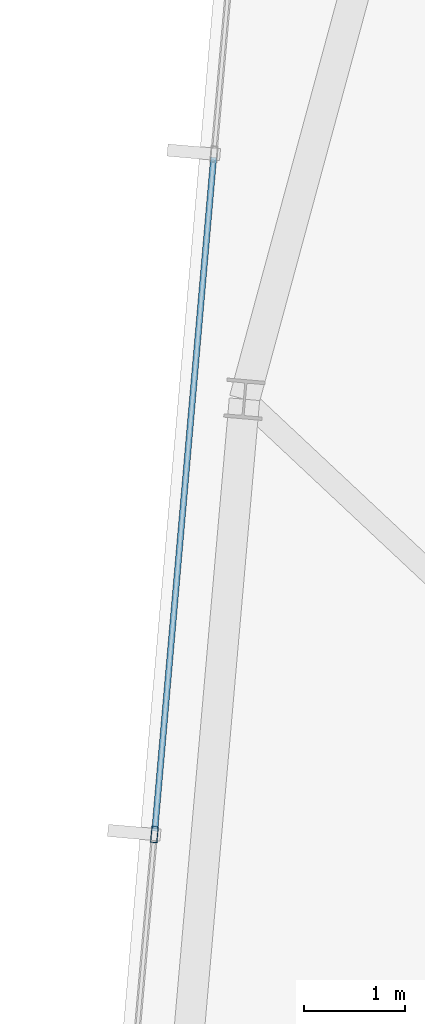
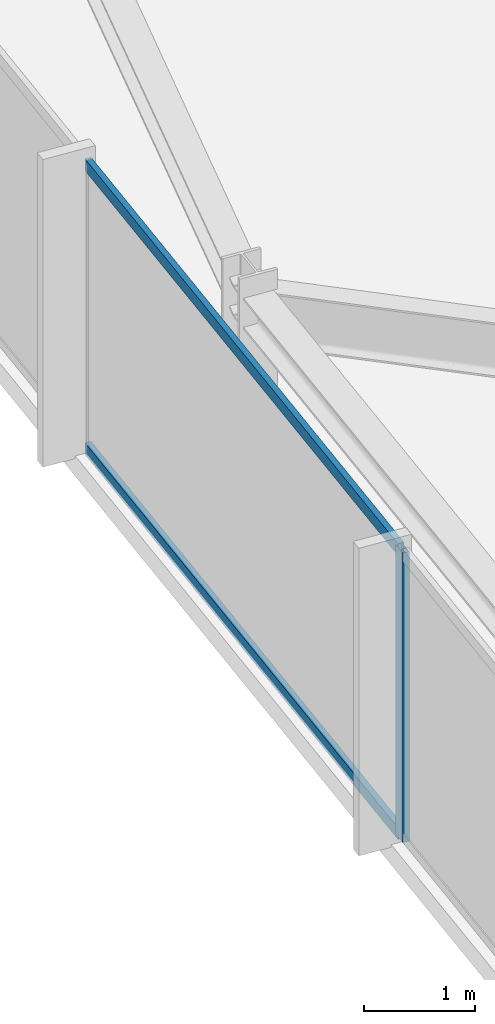
# One storey, part 9 of 32: 3 members, 1 element without a shape of its own.
"""IFC4 building model written with IfcOpenShell, lengths in metres."""

from ifc_helpers import new_model, si_unit, direction, frame, origin, origin_2d, place, context, subcontext, project, spatial, hollow_rectangle, extrude, material, material_profile, profile_set, type_object, element, aggregate, save


model = new_model("IFC4")

# Units and contexts
model_context = context("Model", 3, precision=1e-05, world=origin(), true_north=direction((0.0, 1.0)))
body_context = subcontext(model_context, "Body", "Model", "MODEL_VIEW")
ifc_project = project(units=[si_unit("LENGTHUNIT", "METRE"), si_unit("AREAUNIT", "SQUARE_METRE"), si_unit("VOLUMEUNIT", "CUBIC_METRE"), si_unit("PLANEANGLEUNIT", "RADIAN"), si_unit("MASSUNIT", "GRAM", prefix="KILO")], contexts=[model_context])

# Site, building, storey
site_placement = place(None, origin())
site = spatial("IfcSite", under=ifc_project, at=site_placement, CompositionType="ELEMENT")
building_placement = place(site_placement, origin())
building = spatial("IfcBuilding", under=site, at=building_placement, Name="Yelkora Congress Tower", CompositionType="ELEMENT")
storey_placement = place(building_placement, frame((0.0, 0.0, 276.10009765625)))
storey = spatial("IfcBuildingStorey", under=building, at=storey_placement, Name="L77", CompositionType="ELEMENT", Elevation=276.10009765625)

# Curtain wall, members
ifc_material_1 = material(Name="Anodised aluminium and insulated glass", Category="aluminium")
curtain_wall_type = type_object("IfcCurtainWallType", Name="CW-SYS-B5", PredefinedType="NOTDEFINED", material=ifc_material_1)
curtain_wall_placement = place(storey_placement, origin())
curtain_wall = element("IfcCurtainWall", 1, at=curtain_wall_placement, inside=storey, type_object=curtain_wall_type, Name="L77 Unitised Curtain Wall 5", PredefinedType="NOTDEFINED")
ifc_material_2 = material(Name="Anodised aluminium 6063-T6", Category="aluminium")
ifc_material_profile_1 = material_profile(ifc_material_2, hollow_rectangle(XDim=0.06494140625, YDim=0.159912109375, WallThickness=0.00390625, at=origin_2d()), Name="ALU 65x160x4")
ifc_profile_set_1 = profile_set([ifc_material_profile_1], Name="Anodised aluminium 6063-T6")
member_type_1 = type_object("IfcMemberType", Name="MEM-ML-B5", PredefinedType="MULLION", material=ifc_profile_set_1)
member_1_placement = place(storey_placement, frame((6.900146484375, 35.200927734375, 0.0), z_axis=(0.0, 0.0, 1.0), x_axis=(-0.996194785929, 0.08715473876, 0.0)))
member_1 = element("IfcMember", 2, at=member_1_placement, type_object=member_type_1, Name="CW-B5 mullion 3", PredefinedType="MULLION", context=body_context, shape_type="SweptSolid", body=[
    extrude(hollow_rectangle(XDim=0.06494140625, YDim=0.159912109375, WallThickness=0.00390625, at=origin_2d()), origin(), (0.0, 0.0, 1.0), 3.179931640625),
])
ifc_material_profile_2 = material_profile(ifc_material_2, hollow_rectangle(XDim=0.06005859375, YDim=0.1298828125, WallThickness=0.00390625, at=origin_2d()), Name="ALU 60x130x4")
ifc_profile_set_2 = profile_set([ifc_material_profile_2], Name="Anodised aluminium 6063-T6")
member_type_2 = type_object("IfcMemberType", Name="MEM-TR-B5", PredefinedType="USERDEFINED", material=ifc_profile_set_2)
member_2_placement = place(storey_placement, frame((6.903076171875, 35.2333984375, 0.02978515625), z_axis=(0.087143321513, 0.996195784731, 0.0), x_axis=(-0.996195784731, 0.087143321513, 0.0)))
member_2 = element("IfcMember", 3, at=member_2_placement, type_object=member_type_2, Name="CW-B5 transom 3.1", ObjectType="TRANSOM", PredefinedType="USERDEFINED", context=body_context, shape_type="SweptSolid", body=[
    extrude(hollow_rectangle(XDim=0.06005859375, YDim=0.1298828125, WallThickness=0.00390625, at=origin_2d()), origin(), (0.0, 0.0, 1.0), 6.6650390625),
])
member_3_placement = place(storey_placement, frame((6.903076171875, 35.2333984375, 3.14990234375), z_axis=(0.087143321513, 0.996195784731, 0.0), x_axis=(-0.996195784731, 0.087143321513, 0.0)))
member_3 = element("IfcMember", 4, at=member_3_placement, type_object=member_type_2, Name="CW-B5 transom 3.2", ObjectType="TRANSOM", PredefinedType="USERDEFINED", context=body_context, shape_type="SweptSolid", body=[
    extrude(hollow_rectangle(XDim=0.06005859375, YDim=0.1298828125, WallThickness=0.00390625, at=origin_2d()), origin(), (0.0, 0.0, 1.0), 6.6650390625),
])
aggregate(curtain_wall, [member_1, member_2, member_3])

save(model, "model.ifc")
